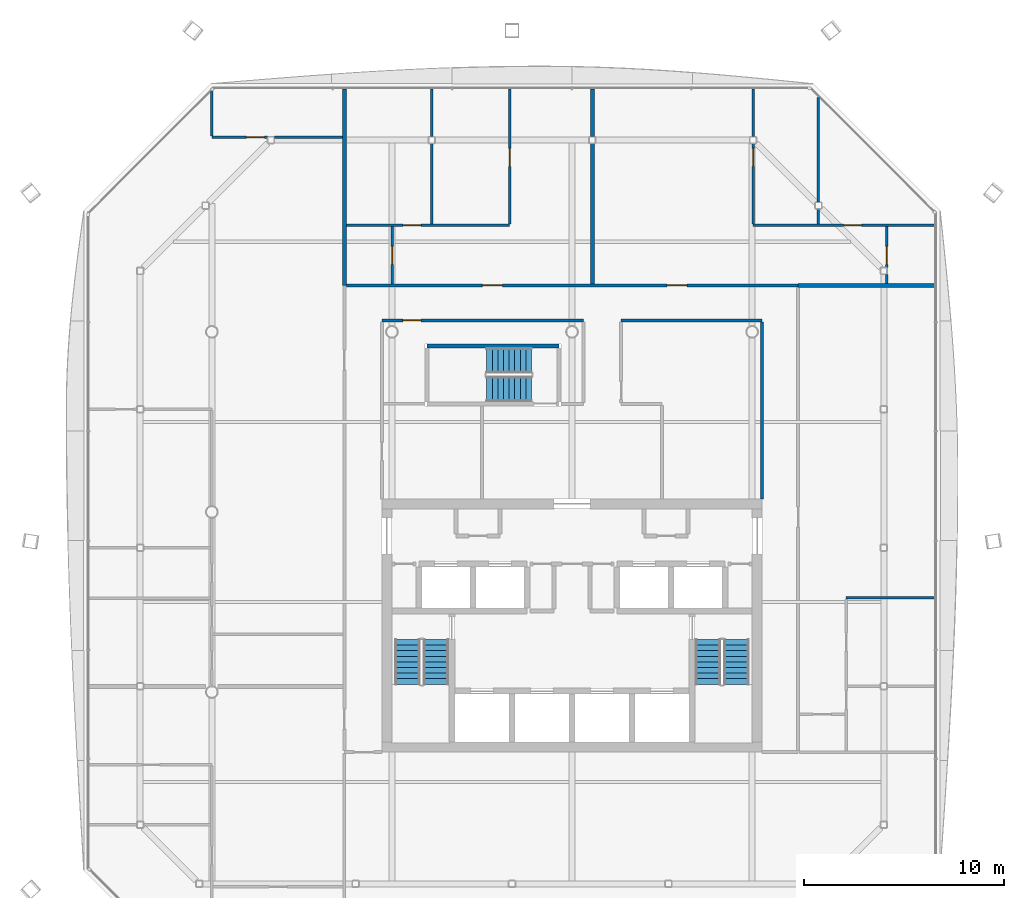
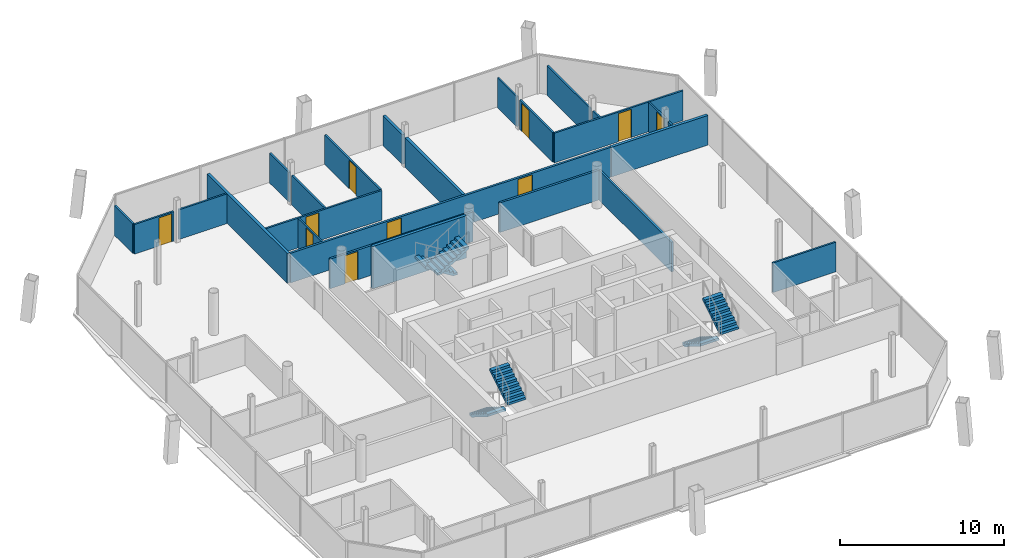
# One storey, part 16 of 20: 25 walls, 10 doors, 6 stair flights, 10 openings, 3 elements without a shape of their own.
"""IFC4 building model written with IfcOpenShell, lengths in metres."""

from ifc_helpers import new_model, si_unit, direction, frame, frame_2d, origin, place, context, subcontext, project, spatial, polyline, rectangle, outline, extrude, material, layer, layer_set, type_object, element, fill, aggregate, save


model = new_model("IFC4")

# Units and contexts
model_context = context("Model", 3, precision=1e-05, world=origin(), true_north=direction((0.0, 1.0)))
body_context = subcontext(model_context, "Body", "Model", "MODEL_VIEW")
ifc_project = project(units=[si_unit("LENGTHUNIT", "METRE"), si_unit("AREAUNIT", "SQUARE_METRE"), si_unit("VOLUMEUNIT", "CUBIC_METRE"), si_unit("PLANEANGLEUNIT", "RADIAN"), si_unit("MASSUNIT", "GRAM", prefix="KILO")], contexts=[model_context])

# Site, building, storey
site_placement = place(None, origin())
site = spatial("IfcSite", under=ifc_project, at=site_placement, CompositionType="ELEMENT")
building_placement = place(site_placement, origin())
building = spatial("IfcBuilding", under=site, at=building_placement, Name="Tskaro Facet Tower", CompositionType="ELEMENT")
storey_placement = place(building_placement, frame((0.0, 0.0, 175.35009765625)))
storey = spatial("IfcBuildingStorey", under=building, at=storey_placement, Name="L43", CompositionType="ELEMENT", Elevation=175.35009765625)

# Wall
ifc_material_1 = material(Name="Gypsum board on steel studs", Category="steel")
ifc_layer_1 = layer(ifc_material_1, 0.125, Name="Gypsum board on steel studs")
ifc_layer_set_1 = layer_set([ifc_layer_1], Name="Gypsum board on steel studs")
wall_type_1 = type_object("IfcWallType", Name="PART", PredefinedType="PARTITIONING", material=ifc_layer_set_1)
wall_1_placement = place(storey_placement, frame((13.699951171875, -4.300048828125, 0.0), z_axis=(0.0, 0.0, 1.0), x_axis=(1.0, 0.0, 0.0)))
element("IfcWall", 1, at=wall_1_placement, inside=storey, type_object=wall_type_1, Name="Partition W021", PredefinedType="PARTITIONING", context=body_context, shape_type="SweptSolid", body=[
    extrude(rectangle(XDim=4.425048828125, YDim=0.125, at=frame_2d((2.21240234375, 0.0))), origin(), (0.0, 0.0, 1.0), 2.2099609375),
])

# Wall, opening, door
wall_2_placement = place(storey_placement, frame((-11.27490234375, 14.324951171875, 0.0), z_axis=(0.0, 0.0, 1.0), x_axis=(1.0, 0.0, 0.0)))
wall_2 = element("IfcWall", 2, at=wall_2_placement, inside=storey, type_object=wall_type_1, Name="Partition W042", PredefinedType="PARTITIONING", context=body_context, shape_type="SweptSolid", body=[
    extrude(rectangle(XDim=8.159912109375, YDim=0.125, at=frame_2d((4.080078125, 0.0))), origin(), (0.0, 0.0, 1.0), 2.2099609375),
])
opening_1_placement = place(wall_2_placement, frame((2.830078125, 0.0, 0.0)))
opening_1 = element("IfcOpeningElement", 3, at=opening_1_placement, cuts=wall_2, Name="Opening T12-D31", PredefinedType="OPENING", context=body_context, shape_type="SweptSolid", body=[
    extrude(rectangle(XDim=0.89990234375, YDim=2.10009765625, at=frame_2d((0.449951171875, 1.050048828125))), frame((0.0, 0.072509765625, 0.0), z_axis=(0.0, -1.0, 0.0), x_axis=(1.0, 0.0, 0.0)), (0.0, 0.0, 1.0), 0.14501953125),
])
ifc_material_2 = material(Name="Timber", Category="wood")
door_type_1 = type_object("IfcDoorType", Name="D-ROOM", OperationType="NOTDEFINED", PredefinedType="DOOR", material=ifc_material_2)
door_1_placement = place(opening_1_placement, origin())
door_1 = element("IfcDoor", 4, at=door_1_placement, inside=storey, type_object=door_type_1, Name="Door T12-D31", OperationType="SINGLE_SWING_RIGHT", OverallHeight=2.10009765625, OverallWidth=0.89990234375, PredefinedType="DOOR", context=body_context, shape_type="SweptSolid", body=[
    extrude(rectangle(XDim=0.89990234375, YDim=2.10009765625, at=frame_2d((0.449951171875, 1.050048828125))), frame((0.0, 0.02490234375, 0.0), z_axis=(0.0, -1.0, 0.0), x_axis=(1.0, 0.0, 0.0)), (0.0, 0.0, 1.0), 0.050048828125),
])
fill(opening_1, door_1)

wall_3_placement = place(storey_placement, frame((9.044921875, 14.324951171875, 0.0), z_axis=(0.0, 0.0, 1.0), x_axis=(1.0, 0.0, 0.0)))
wall_3 = element("IfcWall", 5, at=wall_3_placement, inside=storey, type_object=wall_type_1, Name="Partition W043", PredefinedType="PARTITIONING", context=body_context, shape_type="SweptSolid", body=[
    extrude(rectangle(XDim=9.080078125, YDim=0.125, at=frame_2d((4.5400390625, 0.0))), origin(), (0.0, 0.0, 1.0), 2.2099609375),
])
opening_2_placement = place(wall_3_placement, frame((4.52490234375, 0.0, 0.0)))
opening_2 = element("IfcOpeningElement", 6, at=opening_2_placement, cuts=wall_3, Name="Opening T12-D32", PredefinedType="OPENING", context=body_context, shape_type="SweptSolid", body=[
    extrude(rectangle(XDim=0.89990234375, YDim=2.10009765625, at=frame_2d((0.449951171875, 1.050048828125))), frame((0.0, 0.072509765625, 0.0), z_axis=(0.0, -1.0, 0.0), x_axis=(1.0, 0.0, 0.0)), (0.0, 0.0, 1.0), 0.14501953125),
])
door_2_placement = place(opening_2_placement, origin())
door_2 = element("IfcDoor", 7, at=door_2_placement, inside=storey, type_object=door_type_1, Name="Door T12-D32", OperationType="SINGLE_SWING_LEFT", OverallHeight=2.10009765625, OverallWidth=0.89990234375, PredefinedType="DOOR", context=body_context, shape_type="SweptSolid", body=[
    extrude(rectangle(XDim=0.89990234375, YDim=2.10009765625, at=frame_2d((0.449951171875, 1.050048828125))), frame((0.0, 0.02490234375, 0.0), z_axis=(0.0, -1.0, 0.0), x_axis=(1.0, 0.0, 0.0)), (0.0, 0.0, 1.0), 0.050048828125),
])
fill(opening_2, door_2)

wall_4_placement = place(storey_placement, frame((-18.0, 18.72509765625, 0.0), z_axis=(0.0, 0.0, 1.0), x_axis=(1.0, 0.0, 0.0)))
wall_4 = element("IfcWall", 8, at=wall_4_placement, inside=storey, type_object=wall_type_1, Name="Partition W044", PredefinedType="PARTITIONING", context=body_context, shape_type="SweptSolid", body=[
    extrude(rectangle(XDim=2.779052734375, YDim=0.125, at=frame_2d((1.3896484375, 0.0))), origin(), (0.0, 0.0, 1.0), 2.2099609375),
])
opening_3_placement = place(wall_4_placement, frame((1.72900390625, 0.0, 0.0)))
opening_3 = element("IfcOpeningElement", 9, at=opening_3_placement, cuts=wall_4, Name="Opening T12-D35", PredefinedType="OPENING", context=body_context, shape_type="SweptSolid", body=[
    extrude(rectangle(XDim=0.89990234375, YDim=2.10009765625, at=frame_2d((0.449951171875, 1.050048828125))), frame((0.0, 0.072509765625, 0.0), z_axis=(0.0, -1.0, 0.0), x_axis=(1.0, 0.0, 0.0)), (0.0, 0.0, 1.0), 0.14501953125),
])
door_3_placement = place(opening_3_placement, origin())
door_3 = element("IfcDoor", 10, at=door_3_placement, inside=storey, type_object=door_type_1, Name="Door T12-D35", OperationType="SINGLE_SWING_LEFT", OverallHeight=2.10009765625, OverallWidth=0.89990234375, PredefinedType="DOOR", context=body_context, shape_type="SweptSolid", body=[
    extrude(rectangle(XDim=0.89990234375, YDim=2.10009765625, at=frame_2d((0.449951171875, 1.050048828125))), frame((0.0, 0.02490234375, 0.0), z_axis=(0.0, -1.0, 0.0), x_axis=(1.0, 0.0, 0.0)), (0.0, 0.0, 1.0), 0.050048828125),
])
fill(opening_3, door_3)

# Walls
wall_5_placement = place(storey_placement, frame((-14.87109375, 18.72509765625, 0.0), z_axis=(0.0, 0.0, 1.0), x_axis=(1.0, 0.0, 0.0)))
element("IfcWall", 11, at=wall_5_placement, inside=storey, type_object=wall_type_1, Name="Partition W045", PredefinedType="PARTITIONING", context=body_context, shape_type="SweptSolid", body=[
    extrude(rectangle(XDim=3.39599609375, YDim=0.125, at=frame_2d((1.697998046875, 0.0))), origin(), (0.0, 0.0, 1.0), 2.2099609375),
])
wall_6_placement = place(storey_placement, frame((-18.0, 18.78759765625, 0.0), z_axis=(0.0, 0.0, 1.0), x_axis=(0.0, 1.0, 0.0)))
element("IfcWall", 12, at=wall_6_placement, inside=storey, type_object=wall_type_1, Name="Partition W049", PredefinedType="PARTITIONING", context=body_context, shape_type="SweptSolid", body=[
    extrude(rectangle(XDim=2.24951171875, YDim=0.125, at=frame_2d((1.124755859375, 0.0))), origin(), (0.0, 0.0, 1.0), 2.2099609375),
])

# Wall, opening, door
wall_7_placement = place(storey_placement, frame((-8.97509765625, 11.39990234375, 0.0), z_axis=(0.0, 0.0, 1.0), x_axis=(0.0, 1.0, 0.0)))
wall_7 = element("IfcWall", 13, at=wall_7_placement, inside=storey, type_object=wall_type_1, Name="Partition W054", PredefinedType="PARTITIONING", context=body_context, shape_type="SweptSolid", body=[
    extrude(rectangle(XDim=2.862548828125, YDim=0.125, at=frame_2d((1.43115234375, 0.0))), origin(), (0.0, 0.0, 1.0), 2.2099609375),
])
opening_4_placement = place(wall_7_placement, frame((0.97509765625, 0.0, 0.0)))
opening_4 = element("IfcOpeningElement", 14, at=opening_4_placement, cuts=wall_7, Name="Opening T12-D29", PredefinedType="OPENING", context=body_context, shape_type="SweptSolid", body=[
    extrude(rectangle(XDim=0.89990234375, YDim=2.10009765625, at=frame_2d((0.449951171875, 1.050048828125))), frame((0.0, 0.072509765625, 0.0), z_axis=(0.0, -1.0, 0.0), x_axis=(1.0, 0.0, 0.0)), (0.0, 0.0, 1.0), 0.14501953125),
])
door_4_placement = place(opening_4_placement, origin())
door_4 = element("IfcDoor", 15, at=door_4_placement, inside=storey, type_object=door_type_1, Name="Door T12-D29", OperationType="SINGLE_SWING_LEFT", OverallHeight=2.10009765625, OverallWidth=0.89990234375, PredefinedType="DOOR", context=body_context, shape_type="SweptSolid", body=[
    extrude(rectangle(XDim=0.89990234375, YDim=2.10009765625, at=frame_2d((0.449951171875, 1.050048828125))), frame((0.0, 0.02490234375, 0.0), z_axis=(0.0, -1.0, 0.0), x_axis=(1.0, 0.0, 0.0)), (0.0, 0.0, 1.0), 0.050048828125),
])
fill(opening_4, door_4)

# Walls
wall_8_placement = place(storey_placement, frame((-7.014892578125, 14.387451171875, 0.0), z_axis=(0.0, 0.0, 1.0), x_axis=(0.0, 1.0, 0.0)))
element("IfcWall", 16, at=wall_8_placement, inside=storey, type_object=wall_type_1, Name="Partition W057", PredefinedType="PARTITIONING", context=body_context, shape_type="SweptSolid", body=[
    extrude(rectangle(XDim=4.0205078125, YDim=0.125, at=frame_2d((2.01025390625, 0.0))), origin(), (0.0, 0.0, 1.0), 2.2099609375),
])
wall_9_placement = place(storey_placement, frame((-7.014892578125, 18.758056640625, 0.0), z_axis=(0.0, 0.0, 1.0), x_axis=(0.0, 1.0, 0.0)))
element("IfcWall", 17, at=wall_9_placement, inside=storey, type_object=wall_type_1, Name="Partition W058", PredefinedType="PARTITIONING", context=body_context, shape_type="SweptSolid", body=[
    extrude(rectangle(XDim=2.366943359375, YDim=0.125, at=frame_2d((1.18359375, 0.0))), origin(), (0.0, 0.0, 1.0), 2.2099609375),
])

# Wall, opening, door
wall_10_placement = place(storey_placement, frame((-3.114990234375, 14.387451171875, 0.0), z_axis=(0.0, 0.0, 1.0), x_axis=(0.0, 1.0, 0.0)))
wall_10 = element("IfcWall", 18, at=wall_10_placement, inside=storey, type_object=wall_type_1, Name="Partition W064", PredefinedType="PARTITIONING", context=body_context, shape_type="SweptSolid", body=[
    extrude(rectangle(XDim=6.737548828125, YDim=0.125, at=frame_2d((3.36865234375, 0.0))), origin(), (0.0, 0.0, 1.0), 2.2099609375),
])
opening_5_placement = place(wall_10_placement, frame((2.887451171875, 0.0, 0.0)))
opening_5 = element("IfcOpeningElement", 19, at=opening_5_placement, cuts=wall_10, Name="Opening T12-D33", PredefinedType="OPENING", context=body_context, shape_type="SweptSolid", body=[
    extrude(rectangle(XDim=0.89990234375, YDim=2.10009765625, at=frame_2d((0.449951171875, 1.050048828125))), frame((0.0, 0.072509765625, 0.0), z_axis=(0.0, -1.0, 0.0), x_axis=(1.0, 0.0, 0.0)), (0.0, 0.0, 1.0), 0.14501953125),
])
door_5_placement = place(opening_5_placement, origin())
door_5 = element("IfcDoor", 20, at=door_5_placement, inside=storey, type_object=door_type_1, Name="Door T12-D33", OperationType="SINGLE_SWING_RIGHT", OverallHeight=2.10009765625, OverallWidth=0.89990234375, PredefinedType="DOOR", context=body_context, shape_type="SweptSolid", body=[
    extrude(rectangle(XDim=0.89990234375, YDim=2.10009765625, at=frame_2d((0.449951171875, 1.050048828125))), frame((0.0, 0.02490234375, 0.0), z_axis=(0.0, -1.0, 0.0), x_axis=(1.0, 0.0, 0.0)), (0.0, 0.0, 1.0), 0.050048828125),
])
fill(opening_5, door_5)

wall_11_placement = place(storey_placement, frame((9.044921875, 18.407958984375, 0.0), z_axis=(0.0, 0.0, 1.0), x_axis=(0.0, -1.0, 0.0)))
wall_11 = element("IfcWall", 21, at=wall_11_placement, inside=storey, type_object=wall_type_1, Name="Partition W083", PredefinedType="PARTITIONING", context=body_context, shape_type="SweptSolid", body=[
    extrude(rectangle(XDim=4.0205078125, YDim=0.125, at=frame_2d((2.01025390625, 0.0))), origin(), (0.0, 0.0, 1.0), 2.2099609375),
])
opening_6_placement = place(wall_11_placement, frame((0.23291015625, 0.0, 0.0)))
opening_6 = element("IfcOpeningElement", 22, at=opening_6_placement, cuts=wall_11, Name="Opening T12-D34", PredefinedType="OPENING", context=body_context, shape_type="SweptSolid", body=[
    extrude(rectangle(XDim=0.89990234375, YDim=2.10009765625, at=frame_2d((0.449951171875, 1.050048828125))), frame((0.0, 0.072509765625, 0.0), z_axis=(0.0, -1.0, 0.0), x_axis=(1.0, 0.0, 0.0)), (0.0, 0.0, 1.0), 0.14501953125),
])
door_6_placement = place(opening_6_placement, origin())
door_6 = element("IfcDoor", 23, at=door_6_placement, inside=storey, type_object=door_type_1, Name="Door T12-D34", OperationType="SINGLE_SWING_LEFT", OverallHeight=2.10009765625, OverallWidth=0.89990234375, PredefinedType="DOOR", context=body_context, shape_type="SweptSolid", body=[
    extrude(rectangle(XDim=0.89990234375, YDim=2.10009765625, at=frame_2d((0.449951171875, 1.050048828125))), frame((0.0, 0.02490234375, 0.0), z_axis=(0.0, -1.0, 0.0), x_axis=(1.0, 0.0, 0.0)), (0.0, 0.0, 1.0), 0.050048828125),
])
fill(opening_6, door_6)

# Walls
wall_12_placement = place(storey_placement, frame((9.044921875, 18.758056640625, 0.0), z_axis=(0.0, 0.0, 1.0), x_axis=(0.0, 1.0, 0.0)))
element("IfcWall", 24, at=wall_12_placement, inside=storey, type_object=wall_type_1, Name="Partition W084", PredefinedType="PARTITIONING", context=body_context, shape_type="SweptSolid", body=[
    extrude(rectangle(XDim=2.366943359375, YDim=0.125, at=frame_2d((1.18359375, 0.0))), origin(), (0.0, 0.0, 1.0), 2.2099609375),
])
wall_13_placement = place(storey_placement, frame((12.31494140625, 14.387451171875, 0.0), z_axis=(0.0, 0.0, 1.0), x_axis=(0.0, 1.0, 0.0)))
element("IfcWall", 25, at=wall_13_placement, inside=storey, type_object=wall_type_1, Name="Partition W087", PredefinedType="PARTITIONING", context=body_context, shape_type="SweptSolid", body=[
    extrude(rectangle(XDim=0.75146484375, YDim=0.125, at=frame_2d((0.375732421875, 0.0))), origin(), (0.0, 0.0, 1.0), 2.2099609375),
])
wall_14_placement = place(storey_placement, frame((12.31494140625, 15.489013671875, 0.0), z_axis=(0.0, 0.0, 1.0), x_axis=(0.0, 1.0, 0.0)))
element("IfcWall", 26, at=wall_14_placement, inside=storey, type_object=wall_type_1, Name="Partition W088", PredefinedType="PARTITIONING", context=body_context, shape_type="SweptSolid", body=[
    extrude(rectangle(XDim=5.23291015625, YDim=0.125, at=frame_2d((2.616455078125, 0.0))), origin(), (0.0, 0.0, 1.0), 2.2099609375),
])
wall_15_placement = place(storey_placement, frame((15.72509765625, 11.425048828125, 0.0), z_axis=(0.0, 0.0, 1.0), x_axis=(0.0, 1.0, 0.0)))
element("IfcWall", 27, at=wall_15_placement, inside=storey, type_object=wall_type_1, Name="Partition W090", PredefinedType="PARTITIONING", context=body_context, shape_type="SweptSolid", body=[
    extrude(rectangle(XDim=0.446044921875, YDim=0.125, at=frame_2d((0.22314453125, 0.0))), origin(), (0.0, 0.0, 1.0), 2.2099609375),
])

# Wall, opening, door
wall_16_placement = place(storey_placement, frame((15.72509765625, 14.262451171875, 0.0), z_axis=(0.0, 0.0, 1.0), x_axis=(0.0, -1.0, 0.0)))
wall_16 = element("IfcWall", 28, at=wall_16_placement, inside=storey, type_object=wall_type_1, Name="Partition W091", PredefinedType="PARTITIONING", context=body_context, shape_type="SweptSolid", body=[
    extrude(rectangle(XDim=2.04150390625, YDim=0.125, at=frame_2d((1.020751953125, 0.0))), origin(), (0.0, 0.0, 1.0), 2.2099609375),
])
opening_7_placement = place(wall_16_placement, frame((0.987548828125, 0.0, 0.0)))
opening_7 = element("IfcOpeningElement", 29, at=opening_7_placement, cuts=wall_16, Name="Opening T12-D30", PredefinedType="OPENING", context=body_context, shape_type="SweptSolid", body=[
    extrude(rectangle(XDim=0.89990234375, YDim=2.10009765625, at=frame_2d((0.449951171875, 1.050048828125))), frame((0.0, 0.072509765625, 0.0), z_axis=(0.0, -1.0, 0.0), x_axis=(1.0, 0.0, 0.0)), (0.0, 0.0, 1.0), 0.14501953125),
])
door_7_placement = place(opening_7_placement, origin())
door_7 = element("IfcDoor", 30, at=door_7_placement, inside=storey, type_object=door_type_1, Name="Door T12-D30", OperationType="SINGLE_SWING_RIGHT", OverallHeight=2.10009765625, OverallWidth=0.89990234375, PredefinedType="DOOR", context=body_context, shape_type="SweptSolid", body=[
    extrude(rectangle(XDim=0.89990234375, YDim=2.10009765625, at=frame_2d((0.449951171875, 1.050048828125))), frame((0.0, 0.02490234375, 0.0), z_axis=(0.0, -1.0, 0.0), x_axis=(1.0, 0.0, 0.0)), (0.0, 0.0, 1.0), 0.050048828125),
])
fill(opening_7, door_7)

ifc_layer_2 = layer(ifc_material_1, 0.14990234375, Name="Gypsum board on steel studs")
ifc_layer_set_2 = layer_set([ifc_layer_2], Name="Gypsum board on steel studs")
wall_type_2 = type_object("IfcWallType", Name="PART-CORR", PredefinedType="PARTITIONING", material=ifc_layer_set_2)
wall_17_placement = place(storey_placement, frame((0.574951171875, 9.574951171875, 0.0), z_axis=(0.0, 0.0, 1.0), x_axis=(-1.0, 0.0, 0.0)))
wall_17 = element("IfcWall", 31, at=wall_17_placement, inside=storey, type_object=wall_type_2, Name="Corridor wall W038", PredefinedType="PARTITIONING", context=body_context, shape_type="SweptSolid", body=[
    extrude(rectangle(XDim=10.074951171875, YDim=0.14990234375, at=frame_2d((5.03759765625, 0.0))), origin(), (0.0, 0.0, 1.0), 2.2099609375),
])
opening_8_placement = place(wall_17_placement, frame((8.125, 0.0, 0.0)))
opening_8 = element("IfcOpeningElement", 32, at=opening_8_placement, cuts=wall_17, Name="Opening T12-D26", PredefinedType="OPENING", context=body_context, shape_type="SweptSolid", body=[
    extrude(rectangle(XDim=0.89990234375, YDim=2.10009765625, at=frame_2d((0.449951171875, 1.050048828125))), frame((0.0, 0.0849609375, 0.0), z_axis=(0.0, -1.0, 0.0), x_axis=(1.0, 0.0, 0.0)), (0.0, 0.0, 1.0), 0.169921875),
])
door_8_placement = place(opening_8_placement, origin())
door_8 = element("IfcDoor", 33, at=door_8_placement, inside=storey, type_object=door_type_1, Name="Door T12-D26", OperationType="SINGLE_SWING_RIGHT", OverallHeight=2.10009765625, OverallWidth=0.89990234375, PredefinedType="DOOR", context=body_context, shape_type="SweptSolid", body=[
    extrude(rectangle(XDim=0.89990234375, YDim=2.10009765625, at=frame_2d((0.449951171875, 1.050048828125))), frame((0.0, 0.02490234375, 0.0), z_axis=(0.0, -1.0, 0.0), x_axis=(1.0, 0.0, 0.0)), (0.0, 0.0, 1.0), 0.050048828125),
])
fill(opening_8, door_8)

# Wall
wall_18_placement = place(storey_placement, frame((2.449951171875, 9.574951171875, 0.0), z_axis=(0.0, 0.0, 1.0), x_axis=(1.0, 0.0, 0.0)))
element("IfcWall", 34, at=wall_18_placement, inside=storey, type_object=wall_type_2, Name="Corridor wall W039", PredefinedType="PARTITIONING", context=body_context, shape_type="SweptSolid", body=[
    extrude(rectangle(XDim=7.050048828125, YDim=0.14990234375, at=frame_2d((3.52490234375, 0.0))), origin(), (0.0, 0.0, 1.0), 2.2099609375),
])

# Wall, openings, doors
wall_19_placement = place(storey_placement, frame((-11.27490234375, 11.324951171875, 0.0), z_axis=(0.0, 0.0, 1.0), x_axis=(1.0, 0.0, 0.0)))
wall_19 = element("IfcWall", 35, at=wall_19_placement, inside=storey, type_object=wall_type_2, Name="Corridor wall W040", PredefinedType="PARTITIONING", context=body_context, shape_type="SweptSolid", body=[
    extrude(rectangle(XDim=22.574951171875, YDim=0.14990234375, at=frame_2d((11.28759765625, 0.0))), origin(), (0.0, 0.0, 1.0), 2.2099609375),
])
opening_9_placement = place(wall_19_placement, frame((6.794921875, 0.0, 0.0)))
opening_9 = element("IfcOpeningElement", 36, at=opening_9_placement, cuts=wall_19, Name="Opening T12-D27", PredefinedType="OPENING", context=body_context, shape_type="SweptSolid", body=[
    extrude(rectangle(XDim=1.0, YDim=2.10009765625, at=frame_2d((0.5, 1.050048828125))), frame((0.0, 0.0849609375, 0.0), z_axis=(0.0, -1.0, 0.0), x_axis=(1.0, 0.0, 0.0)), (0.0, 0.0, 1.0), 0.169921875),
])
opening_10_placement = place(wall_19_placement, frame((16.032470703125, 0.0, 0.0)))
opening_10 = element("IfcOpeningElement", 37, at=opening_10_placement, cuts=wall_19, Name="Opening T12-D28", PredefinedType="OPENING", context=body_context, shape_type="SweptSolid", body=[
    extrude(rectangle(XDim=1.0, YDim=2.10009765625, at=frame_2d((0.5, 1.050048828125))), frame((0.0, 0.0849609375, 0.0), z_axis=(0.0, -1.0, 0.0), x_axis=(1.0, 0.0, 0.0)), (0.0, 0.0, 1.0), 0.169921875),
])
door_type_2 = type_object("IfcDoorType", Name="D-FLAT-ENTRY", OperationType="NOTDEFINED", PredefinedType="DOOR", material=ifc_material_2)
door_9_placement = place(opening_9_placement, origin())
door_9 = element("IfcDoor", 38, at=door_9_placement, inside=storey, type_object=door_type_2, Name="Door T12-D27", OperationType="SINGLE_SWING_LEFT", OverallHeight=2.10009765625, OverallWidth=1.0, PredefinedType="DOOR", context=body_context, shape_type="SweptSolid", body=[
    extrude(rectangle(XDim=1.0, YDim=2.10009765625, at=frame_2d((0.5, 1.050048828125))), frame((0.0, 0.02490234375, 0.0), z_axis=(0.0, -1.0, 0.0), x_axis=(1.0, 0.0, 0.0)), (0.0, 0.0, 1.0), 0.050048828125),
])
fill(opening_9, door_9)
door_10_placement = place(opening_10_placement, origin())
door_10 = element("IfcDoor", 39, at=door_10_placement, inside=storey, type_object=door_type_2, Name="Door T12-D28", OperationType="SINGLE_SWING_RIGHT", OverallHeight=2.10009765625, OverallWidth=1.0, PredefinedType="DOOR", context=body_context, shape_type="SweptSolid", body=[
    extrude(rectangle(XDim=1.0, YDim=2.10009765625, at=frame_2d((0.5, 1.050048828125))), frame((0.0, 0.02490234375, 0.0), z_axis=(0.0, -1.0, 0.0), x_axis=(1.0, 0.0, 0.0)), (0.0, 0.0, 1.0), 0.050048828125),
])
fill(opening_10, door_10)

# Walls
wall_20_placement = place(storey_placement, frame((9.5, 0.64990234375, 0.0), z_axis=(0.0, 0.0, 1.0), x_axis=(0.0, 1.0, 0.0)))
element("IfcWall", 40, at=wall_20_placement, inside=storey, type_object=wall_type_2, Name="Corridor wall W085", PredefinedType="PARTITIONING", context=body_context, shape_type="SweptSolid", body=[
    extrude(rectangle(XDim=8.85009765625, YDim=0.14990234375, at=frame_2d((4.425048828125, 0.0))), origin(), (0.0, 0.0, 1.0), 2.2099609375),
])
ifc_layer_3 = layer(ifc_material_1, 0.199951171875, Name="Gypsum board on steel studs")
ifc_layer_set_3 = layer_set([ifc_layer_3], Name="Gypsum board on steel studs")
wall_type_3 = type_object("IfcWallType", Name="PART-DEMISING", PredefinedType="PARTITIONING", material=ifc_layer_set_3)
wall_21_placement = place(storey_placement, frame((11.300048828125, 11.324951171875, 0.0), z_axis=(0.0, 0.0, 1.0), x_axis=(1.0, 0.0, 0.0)))
element("IfcWall", 41, at=wall_21_placement, inside=storey, type_object=wall_type_3, Name="Guest room wall W041", PredefinedType="PARTITIONING", context=body_context, shape_type="SweptSolid", body=[
    extrude(rectangle(XDim=6.824951171875, YDim=0.199951171875, at=frame_2d((3.41259765625, 0.0))), origin(), (0.0, 0.0, 1.0), 2.2099609375),
])
wall_22_placement = place(storey_placement, frame((-11.375, 11.324951171875, 0.0), z_axis=(0.0, 0.0, 1.0), x_axis=(0.0, 1.0, 0.0)))
element("IfcWall", 42, at=wall_22_placement, inside=storey, type_object=wall_type_3, Name="Guest room wall W052", PredefinedType="PARTITIONING", context=body_context, shape_type="SweptSolid", body=[
    extrude(rectangle(XDim=9.800048828125, YDim=0.199951171875, at=frame_2d((4.89990234375, 0.0))), origin(), (0.0, 0.0, 1.0), 2.2099609375),
])
wall_23_placement = place(storey_placement, frame((1.014892578125, 11.39990234375, 0.0), z_axis=(0.0, 0.0, 1.0), x_axis=(0.0, 1.0, 0.0)))
element("IfcWall", 43, at=wall_23_placement, inside=storey, type_object=wall_type_3, Name="Guest room wall W072", PredefinedType="PARTITIONING", context=body_context, shape_type="SweptSolid", body=[
    extrude(rectangle(XDim=7.008056640625, YDim=0.199951171875, at=frame_2d((3.50390625, 0.0))), origin(), (0.0, 0.0, 1.0), 2.2099609375),
])
wall_24_placement = place(storey_placement, frame((1.014892578125, 18.758056640625, 0.0), z_axis=(0.0, 0.0, 1.0), x_axis=(0.0, 1.0, 0.0)))
element("IfcWall", 44, at=wall_24_placement, inside=storey, type_object=wall_type_3, Name="Guest room wall W073", PredefinedType="PARTITIONING", context=body_context, shape_type="SweptSolid", body=[
    extrude(rectangle(XDim=2.366943359375, YDim=0.199951171875, at=frame_2d((1.18359375, 0.0))), origin(), (0.0, 0.0, 1.0), 2.2099609375),
])
ifc_material_3 = material(Name="Concrete C60/75", Category="concrete")
ifc_layer_4 = layer(ifc_material_3, 0.199951171875, Name="Concrete C60/75")
ifc_layer_set_4 = layer_set([ifc_layer_4], Name="Concrete C60/75")
wall_type_4 = type_object("IfcWallType", Name="STAIR-WALL", PredefinedType="SHEAR", material=ifc_layer_set_4)
wall_25_placement = place(storey_placement, frame((-7.25, 8.300048828125, 0.0), z_axis=(0.0, 0.0, 1.0), x_axis=(1.0, 0.0, 0.0)))
element("IfcWall", 45, at=wall_25_placement, inside=storey, type_object=wall_type_4, Name="Stair wall W037", PredefinedType="SHEAR", context=body_context, shape_type="SweptSolid", body=[
    extrude(rectangle(XDim=6.60009765625, YDim=0.199951171875, at=frame_2d((3.300048828125, 0.0))), origin(), (0.0, 0.0, 1.0), 3.14990234375),
])

# Stair, stair flights
ifc_material_4 = material(Name="Concrete C40/50", Category="concrete")
stair_type = type_object("IfcStairType", Name="ST-TWR", PredefinedType="HALF_TURN_STAIR", material=ifc_material_4)
stair_1_placement = place(storey_placement, origin())
stair_1 = element("IfcStair", 46, at=stair_1_placement, inside=storey, type_object=stair_type, Name="L43 Exit stair 1", PredefinedType="HALF_TURN_STAIR")
stair_flight_type = type_object("IfcStairFlightType", Name="SFL-RC", PredefinedType="STRAIGHT", material=ifc_material_4)
stair_flight_1_placement = place(storey_placement, frame((-8.21240234375, -6.375, 0.0), z_axis=(0.0, 0.0, 1.0), x_axis=(0.0, -1.0, 0.0)))
stair_flight_1 = element("IfcStairFlight", 47, at=stair_flight_1_placement, type_object=stair_flight_type, Name="ST-1 flight 1", NumberOfRisers=9, NumberOfTreads=8, PredefinedType="STRAIGHT", RiserHeight=0.175, TreadLength=0.28, context=body_context, shape_type="SweptSolid", body=[
    extrude(outline(polyline([(0.0, 0.0), (0.0, 0.175048828125), (0.280029296875, 0.175048828125), (0.280029296875, 0.35009765625), (0.56005859375, 0.35009765625), (0.56005859375, 0.52490234375), (0.840087890625, 0.52490234375), (0.840087890625, 0.699951171875), (1.1201171875, 0.699951171875), (1.1201171875, 0.875), (1.39990234375, 0.875), (1.39990234375, 1.050048828125), (1.679931640625, 1.050048828125), (1.679931640625, 1.22509765625), (1.9599609375, 1.22509765625), (1.9599609375, 1.39990234375), (2.239990234375, 1.39990234375), (2.239990234375, 1.574951171875), (2.239990234375, 1.22314453125), (0.28271484375, 0.0), (0.0, 0.0)])), frame((0.0, 0.637451171875, 0.0), z_axis=(0.0, -1.0, 0.0), x_axis=(1.0, 0.0, 0.0)), (0.0, 0.0, 1.0), 1.27490234375),
])
stair_flight_2_placement = place(storey_placement, frame((-6.78759765625, -8.614990234375, 1.574951171875), z_axis=(0.0, 0.0, 1.0), x_axis=(0.0, 1.0, 0.0)))
stair_flight_2 = element("IfcStairFlight", 48, at=stair_flight_2_placement, type_object=stair_flight_type, Name="ST-1 flight 2", NumberOfRisers=9, NumberOfTreads=8, PredefinedType="STRAIGHT", RiserHeight=0.175, TreadLength=0.28, context=body_context, shape_type="SweptSolid", body=[
    extrude(outline(polyline([(0.0, 0.0), (0.0, 0.175048828125), (0.280029296875, 0.175048828125), (0.280029296875, 0.35009765625), (0.56005859375, 0.35009765625), (0.56005859375, 0.52490234375), (0.840087890625, 0.52490234375), (0.840087890625, 0.699951171875), (1.1201171875, 0.699951171875), (1.1201171875, 0.875), (1.39990234375, 0.875), (1.39990234375, 1.050048828125), (1.679931640625, 1.050048828125), (1.679931640625, 1.22509765625), (1.9599609375, 1.22509765625), (1.9599609375, 1.39990234375), (2.239990234375, 1.39990234375), (2.239990234375, 1.574951171875), (2.239990234375, 1.22314453125), (0.28271484375, 0.0), (0.0, 0.0)])), frame((0.0, 0.637451171875, 0.0), z_axis=(0.0, -1.0, 0.0), x_axis=(1.0, 0.0, 0.0)), (0.0, 0.0, 1.0), 1.27490234375),
])
aggregate(stair_1, [stair_flight_1, stair_flight_2])

stair_2_placement = place(storey_placement, origin())
stair_2 = element("IfcStair", 49, at=stair_2_placement, inside=storey, type_object=stair_type, Name="L43 Exit stair 2", PredefinedType="HALF_TURN_STAIR")
stair_flight_3_placement = place(storey_placement, frame((6.78759765625, -6.375, 0.0), z_axis=(0.0, 0.0, 1.0), x_axis=(0.0, -1.0, 0.0)))
stair_flight_3 = element("IfcStairFlight", 50, at=stair_flight_3_placement, type_object=stair_flight_type, Name="ST-2 flight 1", NumberOfRisers=9, NumberOfTreads=8, PredefinedType="STRAIGHT", RiserHeight=0.175, TreadLength=0.28, context=body_context, shape_type="SweptSolid", body=[
    extrude(outline(polyline([(0.0, 0.0), (0.0, 0.175048828125), (0.280029296875, 0.175048828125), (0.280029296875, 0.35009765625), (0.56005859375, 0.35009765625), (0.56005859375, 0.52490234375), (0.840087890625, 0.52490234375), (0.840087890625, 0.699951171875), (1.1201171875, 0.699951171875), (1.1201171875, 0.875), (1.39990234375, 0.875), (1.39990234375, 1.050048828125), (1.679931640625, 1.050048828125), (1.679931640625, 1.22509765625), (1.9599609375, 1.22509765625), (1.9599609375, 1.39990234375), (2.239990234375, 1.39990234375), (2.239990234375, 1.574951171875), (2.239990234375, 1.22314453125), (0.28271484375, 0.0), (0.0, 0.0)])), frame((0.0, 0.637451171875, 0.0), z_axis=(0.0, -1.0, 0.0), x_axis=(1.0, 0.0, 0.0)), (0.0, 0.0, 1.0), 1.27490234375),
])
stair_flight_4_placement = place(storey_placement, frame((8.21240234375, -8.614990234375, 1.574951171875), z_axis=(0.0, 0.0, 1.0), x_axis=(0.0, 1.0, 0.0)))
stair_flight_4 = element("IfcStairFlight", 51, at=stair_flight_4_placement, type_object=stair_flight_type, Name="ST-2 flight 2", NumberOfRisers=9, NumberOfTreads=8, PredefinedType="STRAIGHT", RiserHeight=0.175, TreadLength=0.28, context=body_context, shape_type="SweptSolid", body=[
    extrude(outline(polyline([(0.0, 0.0), (0.0, 0.175048828125), (0.280029296875, 0.175048828125), (0.280029296875, 0.35009765625), (0.56005859375, 0.35009765625), (0.56005859375, 0.52490234375), (0.840087890625, 0.52490234375), (0.840087890625, 0.699951171875), (1.1201171875, 0.699951171875), (1.1201171875, 0.875), (1.39990234375, 0.875), (1.39990234375, 1.050048828125), (1.679931640625, 1.050048828125), (1.679931640625, 1.22509765625), (1.9599609375, 1.22509765625), (1.9599609375, 1.39990234375), (2.239990234375, 1.39990234375), (2.239990234375, 1.574951171875), (2.239990234375, 1.22314453125), (0.28271484375, 0.0), (0.0, 0.0)])), frame((0.0, 0.637451171875, 0.0), z_axis=(0.0, -1.0, 0.0), x_axis=(1.0, 0.0, 0.0)), (0.0, 0.0, 1.0), 1.27490234375),
])
aggregate(stair_2, [stair_flight_3, stair_flight_4])

stair_3_placement = place(storey_placement, origin())
stair_3 = element("IfcStair", 52, at=stair_3_placement, inside=storey, type_object=stair_type, Name="L43 Exit stair 3", PredefinedType="HALF_TURN_STAIR")
stair_flight_5_placement = place(storey_placement, frame((-2.02490234375, 7.5625, 0.0), z_axis=(0.0, 0.0, 1.0), x_axis=(-1.0, 0.0, 0.0)))
stair_flight_5 = element("IfcStairFlight", 53, at=stair_flight_5_placement, type_object=stair_flight_type, Name="ST-3 flight 1", NumberOfRisers=9, NumberOfTreads=8, PredefinedType="STRAIGHT", RiserHeight=0.175, TreadLength=0.28, context=body_context, shape_type="SweptSolid", body=[
    extrude(outline(polyline([(0.0, 0.0), (0.0, 0.175048828125), (0.280029296875, 0.175048828125), (0.280029296875, 0.35009765625), (0.56005859375, 0.35009765625), (0.56005859375, 0.52490234375), (0.840087890625, 0.52490234375), (0.840087890625, 0.699951171875), (1.1201171875, 0.699951171875), (1.1201171875, 0.875), (1.39990234375, 0.875), (1.39990234375, 1.050048828125), (1.679931640625, 1.050048828125), (1.679931640625, 1.22509765625), (1.9599609375, 1.22509765625), (1.9599609375, 1.39990234375), (2.239990234375, 1.39990234375), (2.239990234375, 1.574951171875), (2.239990234375, 1.22314453125), (0.28271484375, 0.0), (0.0, 0.0)])), frame((0.0, 0.637451171875, 0.0), z_axis=(0.0, -1.0, 0.0), x_axis=(1.0, 0.0, 0.0)), (0.0, 0.0, 1.0), 1.27490234375),
])
stair_flight_6_placement = place(storey_placement, frame((-4.264892578125, 6.137451171875, 1.574951171875), z_axis=(0.0, 0.0, 1.0), x_axis=(1.0, 0.0, 0.0)))
stair_flight_6 = element("IfcStairFlight", 54, at=stair_flight_6_placement, type_object=stair_flight_type, Name="ST-3 flight 2", NumberOfRisers=9, NumberOfTreads=8, PredefinedType="STRAIGHT", RiserHeight=0.175, TreadLength=0.28, context=body_context, shape_type="SweptSolid", body=[
    extrude(outline(polyline([(0.0, 0.0), (0.0, 0.175048828125), (0.280029296875, 0.175048828125), (0.280029296875, 0.35009765625), (0.56005859375, 0.35009765625), (0.56005859375, 0.52490234375), (0.840087890625, 0.52490234375), (0.840087890625, 0.699951171875), (1.1201171875, 0.699951171875), (1.1201171875, 0.875), (1.39990234375, 0.875), (1.39990234375, 1.050048828125), (1.679931640625, 1.050048828125), (1.679931640625, 1.22509765625), (1.9599609375, 1.22509765625), (1.9599609375, 1.39990234375), (2.239990234375, 1.39990234375), (2.239990234375, 1.574951171875), (2.239990234375, 1.22314453125), (0.28271484375, 0.0), (0.0, 0.0)])), frame((0.0, 0.637451171875, 0.0), z_axis=(0.0, -1.0, 0.0), x_axis=(1.0, 0.0, 0.0)), (0.0, 0.0, 1.0), 1.27490234375),
])
aggregate(stair_3, [stair_flight_5, stair_flight_6])

save(model, "model.ifc")
